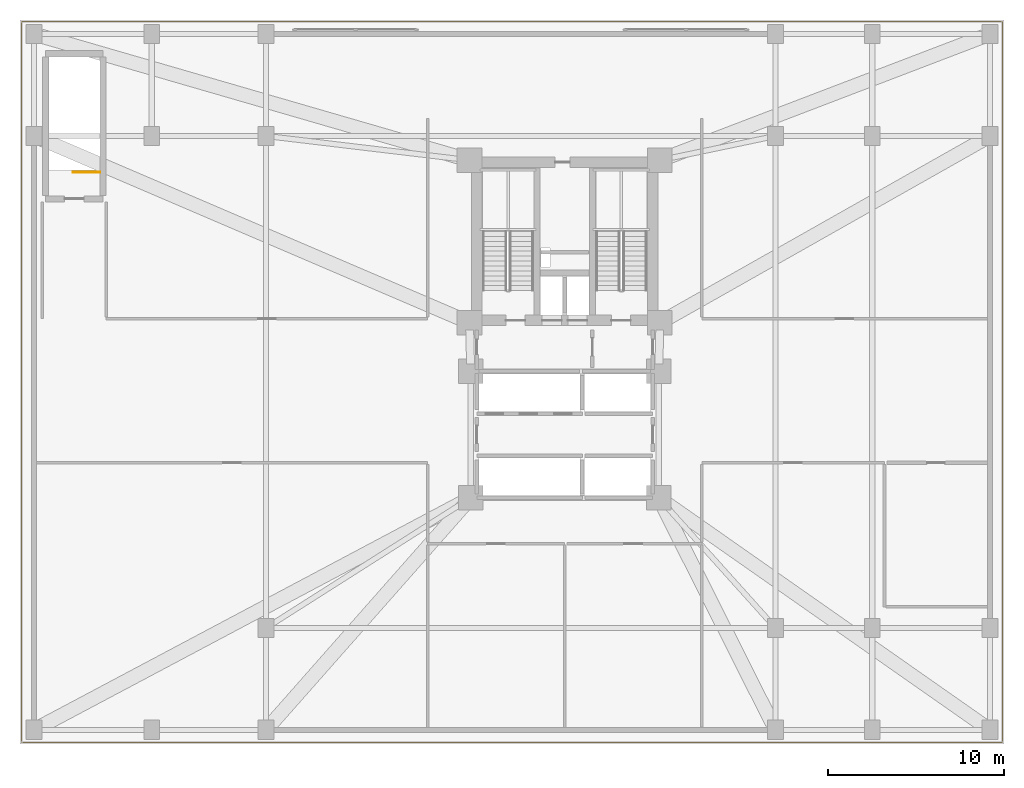
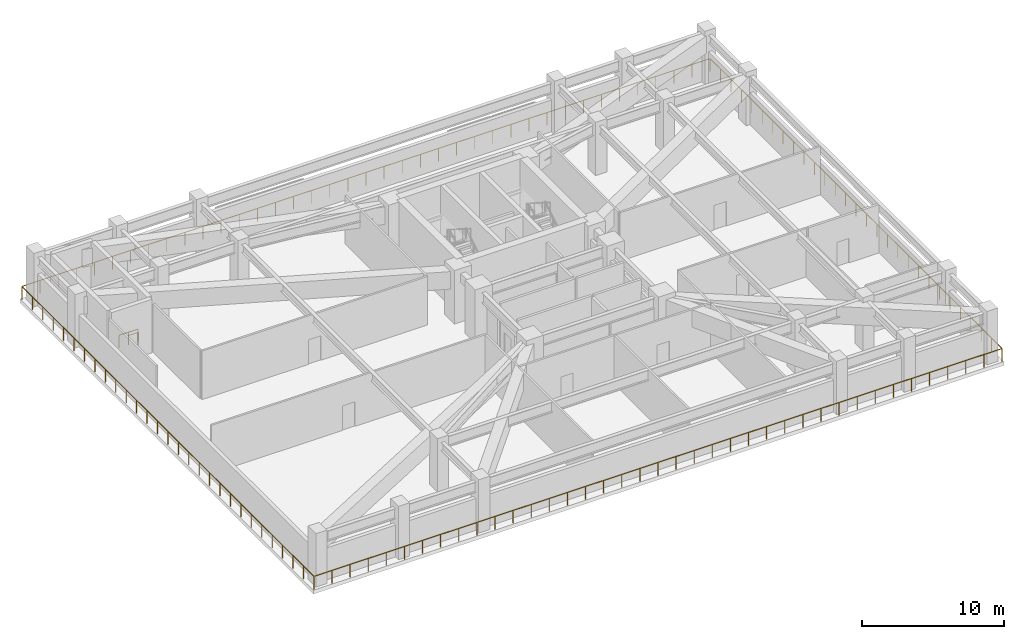
# One storey, part 8 of 9: 2 railings.
"""IFC4 building model written with IfcOpenShell, lengths in metres."""

from ifc_helpers import new_model, si_unit, direction, frame, origin, origin_2d, place, context, subcontext, project, spatial, rectangle, extrude, material, type_object, element, save


model = new_model("IFC4")

# Units and contexts
model_context = context("Model", 3, precision=1e-05, world=origin(), true_north=direction((0.0, 1.0)))
body_context = subcontext(model_context, "Body", "Model", "MODEL_VIEW")
ifc_project = project(units=[si_unit("LENGTHUNIT", "METRE"), si_unit("AREAUNIT", "SQUARE_METRE"), si_unit("VOLUMEUNIT", "CUBIC_METRE"), si_unit("PLANEANGLEUNIT", "RADIAN"), si_unit("MASSUNIT", "GRAM", prefix="KILO")], contexts=[model_context])

# Site, building, storey
site_placement = place(None, origin())
site = spatial("IfcSite", under=ifc_project, at=site_placement, CompositionType="ELEMENT")
building_placement = place(site_placement, origin())
building = spatial("IfcBuilding", under=site, at=building_placement, Name="Varnakorn Sky Granary", CompositionType="ELEMENT")
storey_placement = place(building_placement, frame((0.0, 0.0, 23.0)))
storey = spatial("IfcBuildingStorey", under=building, at=storey_placement, Name="L05", CompositionType="ELEMENT", Elevation=23.0)

# Railings
ifc_material_1 = material(Name="Anodised Bronze Aluminium Alloy 6063-T6", Category="aluminium")
railing_type_1 = type_object("IfcRailingType", Name="RL-BAL-1120", PredefinedType="BALUSTRADE", material=ifc_material_1)
railing_1_placement = place(storey_placement, frame((-27.89990234375, -20.5, 0.0)))
element("IfcRailing", 1, at=railing_1_placement, inside=storey, type_object=railing_type_1, Name="Podium Slab Edge Safety Guard L05", PredefinedType="BALUSTRADE", context=body_context, shape_type="SweptSolid", body=[
    extrude(rectangle(XDim=0.048095703125, YDim=0.048095703125, at=origin_2d()), frame((0.028076171875, 0.0, 1.09619140625), z_axis=(1.0, 0.0, 0.0), x_axis=(0.0, 1.0, 0.0)), (0.0, 0.0, 1.0), 55.743896484375),
    extrude(rectangle(XDim=0.048095703125, YDim=0.048095703125, at=origin_2d()), frame((55.7998046875, 0.028076171875, 1.09619140625), z_axis=(0.0, 1.0, 0.0), x_axis=(-1.0, 0.0, 0.0)), (0.0, 0.0, 1.0), 40.944091796875),
    extrude(rectangle(XDim=0.048095703125, YDim=0.048095703125, at=origin_2d()), frame((55.771728515625, 41.0, 1.09619140625), z_axis=(-1.0, 0.0, 0.0), x_axis=(0.0, -1.0, 0.0)), (0.0, 0.0, 1.0), 55.743896484375),
    extrude(rectangle(XDim=0.048095703125, YDim=0.048095703125, at=origin_2d()), frame((0.0, 40.971923828125, 1.09619140625), z_axis=(0.0, -1.0, 0.0), x_axis=(1.0, 0.0, 0.0)), (0.0, 0.0, 1.0), 40.944091796875),
    extrude(rectangle(XDim=0.0419921875, YDim=0.0419921875, at=origin_2d()), origin(), (0.0, 0.0, 1.0), 1.068115234375),
    extrude(rectangle(XDim=0.0419921875, YDim=0.0419921875, at=origin_2d()), frame((1.468505859375, 0.0, 0.0)), (0.0, 0.0, 1.0), 1.068115234375),
    extrude(rectangle(XDim=0.0419921875, YDim=0.0419921875, at=origin_2d()), frame((2.936767578125, 0.0, 0.0)), (0.0, 0.0, 1.0), 1.068115234375),
    extrude(rectangle(XDim=0.0419921875, YDim=0.0419921875, at=origin_2d()), frame((4.4052734375, 0.0, 0.0)), (0.0, 0.0, 1.0), 1.068115234375),
    extrude(rectangle(XDim=0.0419921875, YDim=0.0419921875, at=origin_2d()), frame((5.873779296875, 0.0, 0.0)), (0.0, 0.0, 1.0), 1.068115234375),
    extrude(rectangle(XDim=0.0419921875, YDim=0.0419921875, at=origin_2d()), frame((7.342041015625, 0.0, 0.0)), (0.0, 0.0, 1.0), 1.068115234375),
    extrude(rectangle(XDim=0.0419921875, YDim=0.0419921875, at=origin_2d()), frame((8.810546875, 0.0, 0.0)), (0.0, 0.0, 1.0), 1.068115234375),
    extrude(rectangle(XDim=0.0419921875, YDim=0.0419921875, at=origin_2d()), frame((10.27880859375, 0.0, 0.0)), (0.0, 0.0, 1.0), 1.068115234375),
    extrude(rectangle(XDim=0.0419921875, YDim=0.0419921875, at=origin_2d()), frame((11.747314453125, 0.0, 0.0)), (0.0, 0.0, 1.0), 1.068115234375),
    extrude(rectangle(XDim=0.0419921875, YDim=0.0419921875, at=origin_2d()), frame((13.2158203125, 0.0, 0.0)), (0.0, 0.0, 1.0), 1.068115234375),
    extrude(rectangle(XDim=0.0419921875, YDim=0.0419921875, at=origin_2d()), frame((14.68408203125, 0.0, 0.0)), (0.0, 0.0, 1.0), 1.068115234375),
    extrude(rectangle(XDim=0.0419921875, YDim=0.0419921875, at=origin_2d()), frame((16.152587890625, 0.0, 0.0)), (0.0, 0.0, 1.0), 1.068115234375),
    extrude(rectangle(XDim=0.0419921875, YDim=0.0419921875, at=origin_2d()), frame((17.62109375, 0.0, 0.0)), (0.0, 0.0, 1.0), 1.068115234375),
    extrude(rectangle(XDim=0.0419921875, YDim=0.0419921875, at=origin_2d()), frame((19.08935546875, 0.0, 0.0)), (0.0, 0.0, 1.0), 1.068115234375),
    extrude(rectangle(XDim=0.0419921875, YDim=0.0419921875, at=origin_2d()), frame((20.557861328125, 0.0, 0.0)), (0.0, 0.0, 1.0), 1.068115234375),
    extrude(rectangle(XDim=0.0419921875, YDim=0.0419921875, at=origin_2d()), frame((22.026123046875, 0.0, 0.0)), (0.0, 0.0, 1.0), 1.068115234375),
    extrude(rectangle(XDim=0.0419921875, YDim=0.0419921875, at=origin_2d()), frame((23.49462890625, 0.0, 0.0)), (0.0, 0.0, 1.0), 1.068115234375),
    extrude(rectangle(XDim=0.0419921875, YDim=0.0419921875, at=origin_2d()), frame((24.963134765625, 0.0, 0.0)), (0.0, 0.0, 1.0), 1.068115234375),
    extrude(rectangle(XDim=0.0419921875, YDim=0.0419921875, at=origin_2d()), frame((26.431396484375, 0.0, 0.0)), (0.0, 0.0, 1.0), 1.068115234375),
    extrude(rectangle(XDim=0.0419921875, YDim=0.0419921875, at=origin_2d()), frame((27.89990234375, 0.0, 0.0)), (0.0, 0.0, 1.0), 1.068115234375),
    extrude(rectangle(XDim=0.0419921875, YDim=0.0419921875, at=origin_2d()), frame((29.368408203125, 0.0, 0.0)), (0.0, 0.0, 1.0), 1.068115234375),
    extrude(rectangle(XDim=0.0419921875, YDim=0.0419921875, at=origin_2d()), frame((30.836669921875, 0.0, 0.0)), (0.0, 0.0, 1.0), 1.068115234375),
    extrude(rectangle(XDim=0.0419921875, YDim=0.0419921875, at=origin_2d()), frame((32.30517578125, 0.0, 0.0)), (0.0, 0.0, 1.0), 1.068115234375),
    extrude(rectangle(XDim=0.0419921875, YDim=0.0419921875, at=origin_2d()), frame((33.773681640625, 0.0, 0.0)), (0.0, 0.0, 1.0), 1.068115234375),
    extrude(rectangle(XDim=0.0419921875, YDim=0.0419921875, at=origin_2d()), frame((35.241943359375, 0.0, 0.0)), (0.0, 0.0, 1.0), 1.068115234375),
    extrude(rectangle(XDim=0.0419921875, YDim=0.0419921875, at=origin_2d()), frame((36.71044921875, 0.0, 0.0)), (0.0, 0.0, 1.0), 1.068115234375),
    extrude(rectangle(XDim=0.0419921875, YDim=0.0419921875, at=origin_2d()), frame((38.1787109375, 0.0, 0.0)), (0.0, 0.0, 1.0), 1.068115234375),
    extrude(rectangle(XDim=0.0419921875, YDim=0.0419921875, at=origin_2d()), frame((39.647216796875, 0.0, 0.0)), (0.0, 0.0, 1.0), 1.068115234375),
    extrude(rectangle(XDim=0.0419921875, YDim=0.0419921875, at=origin_2d()), frame((41.11572265625, 0.0, 0.0)), (0.0, 0.0, 1.0), 1.068115234375),
    extrude(rectangle(XDim=0.0419921875, YDim=0.0419921875, at=origin_2d()), frame((42.583984375, 0.0, 0.0)), (0.0, 0.0, 1.0), 1.068115234375),
    extrude(rectangle(XDim=0.0419921875, YDim=0.0419921875, at=origin_2d()), frame((44.052490234375, 0.0, 0.0)), (0.0, 0.0, 1.0), 1.068115234375),
    extrude(rectangle(XDim=0.0419921875, YDim=0.0419921875, at=origin_2d()), frame((45.52099609375, 0.0, 0.0)), (0.0, 0.0, 1.0), 1.068115234375),
    extrude(rectangle(XDim=0.0419921875, YDim=0.0419921875, at=origin_2d()), frame((46.9892578125, 0.0, 0.0)), (0.0, 0.0, 1.0), 1.068115234375),
    extrude(rectangle(XDim=0.0419921875, YDim=0.0419921875, at=origin_2d()), frame((48.457763671875, 0.0, 0.0)), (0.0, 0.0, 1.0), 1.068115234375),
    extrude(rectangle(XDim=0.0419921875, YDim=0.0419921875, at=origin_2d()), frame((49.926025390625, 0.0, 0.0)), (0.0, 0.0, 1.0), 1.068115234375),
    extrude(rectangle(XDim=0.0419921875, YDim=0.0419921875, at=origin_2d()), frame((51.39453125, 0.0, 0.0)), (0.0, 0.0, 1.0), 1.068115234375),
    extrude(rectangle(XDim=0.0419921875, YDim=0.0419921875, at=origin_2d()), frame((52.863037109375, 0.0, 0.0)), (0.0, 0.0, 1.0), 1.068115234375),
    extrude(rectangle(XDim=0.0419921875, YDim=0.0419921875, at=origin_2d()), frame((54.331298828125, 0.0, 0.0)), (0.0, 0.0, 1.0), 1.068115234375),
    extrude(rectangle(XDim=0.0419921875, YDim=0.0419921875, at=origin_2d()), frame((55.7998046875, 0.0, 0.0)), (0.0, 0.0, 1.0), 1.068115234375),
    extrude(rectangle(XDim=0.0419921875, YDim=0.0419921875, at=origin_2d()), frame((55.7998046875, 1.46435546875, 0.0)), (0.0, 0.0, 1.0), 1.068115234375),
    extrude(rectangle(XDim=0.0419921875, YDim=0.0419921875, at=origin_2d()), frame((55.7998046875, 2.928466796875, 0.0)), (0.0, 0.0, 1.0), 1.068115234375),
    extrude(rectangle(XDim=0.0419921875, YDim=0.0419921875, at=origin_2d()), frame((55.7998046875, 4.392822265625, 0.0)), (0.0, 0.0, 1.0), 1.068115234375),
    extrude(rectangle(XDim=0.0419921875, YDim=0.0419921875, at=origin_2d()), frame((55.7998046875, 5.857177734375, 0.0)), (0.0, 0.0, 1.0), 1.068115234375),
    extrude(rectangle(XDim=0.0419921875, YDim=0.0419921875, at=origin_2d()), frame((55.7998046875, 7.321533203125, 0.0)), (0.0, 0.0, 1.0), 1.068115234375),
    extrude(rectangle(XDim=0.0419921875, YDim=0.0419921875, at=origin_2d()), frame((55.7998046875, 8.78564453125, 0.0)), (0.0, 0.0, 1.0), 1.068115234375),
    extrude(rectangle(XDim=0.0419921875, YDim=0.0419921875, at=origin_2d()), frame((55.7998046875, 10.25, 0.0)), (0.0, 0.0, 1.0), 1.068115234375),
    extrude(rectangle(XDim=0.0419921875, YDim=0.0419921875, at=origin_2d()), frame((55.7998046875, 11.71435546875, 0.0)), (0.0, 0.0, 1.0), 1.068115234375),
    extrude(rectangle(XDim=0.0419921875, YDim=0.0419921875, at=origin_2d()), frame((55.7998046875, 13.178466796875, 0.0)), (0.0, 0.0, 1.0), 1.068115234375),
    extrude(rectangle(XDim=0.0419921875, YDim=0.0419921875, at=origin_2d()), frame((55.7998046875, 14.642822265625, 0.0)), (0.0, 0.0, 1.0), 1.068115234375),
    extrude(rectangle(XDim=0.0419921875, YDim=0.0419921875, at=origin_2d()), frame((55.7998046875, 16.107177734375, 0.0)), (0.0, 0.0, 1.0), 1.068115234375),
    extrude(rectangle(XDim=0.0419921875, YDim=0.0419921875, at=origin_2d()), frame((55.7998046875, 17.571533203125, 0.0)), (0.0, 0.0, 1.0), 1.068115234375),
    extrude(rectangle(XDim=0.0419921875, YDim=0.0419921875, at=origin_2d()), frame((55.7998046875, 19.03564453125, 0.0)), (0.0, 0.0, 1.0), 1.068115234375),
    extrude(rectangle(XDim=0.0419921875, YDim=0.0419921875, at=origin_2d()), frame((55.7998046875, 20.5, 0.0)), (0.0, 0.0, 1.0), 1.068115234375),
    extrude(rectangle(XDim=0.0419921875, YDim=0.0419921875, at=origin_2d()), frame((55.7998046875, 21.96435546875, 0.0)), (0.0, 0.0, 1.0), 1.068115234375),
    extrude(rectangle(XDim=0.0419921875, YDim=0.0419921875, at=origin_2d()), frame((55.7998046875, 23.428466796875, 0.0)), (0.0, 0.0, 1.0), 1.068115234375),
    extrude(rectangle(XDim=0.0419921875, YDim=0.0419921875, at=origin_2d()), frame((55.7998046875, 24.892822265625, 0.0)), (0.0, 0.0, 1.0), 1.068115234375),
    extrude(rectangle(XDim=0.0419921875, YDim=0.0419921875, at=origin_2d()), frame((55.7998046875, 26.357177734375, 0.0)), (0.0, 0.0, 1.0), 1.068115234375),
    extrude(rectangle(XDim=0.0419921875, YDim=0.0419921875, at=origin_2d()), frame((55.7998046875, 27.821533203125, 0.0)), (0.0, 0.0, 1.0), 1.068115234375),
    extrude(rectangle(XDim=0.0419921875, YDim=0.0419921875, at=origin_2d()), frame((55.7998046875, 29.28564453125, 0.0)), (0.0, 0.0, 1.0), 1.068115234375),
    extrude(rectangle(XDim=0.0419921875, YDim=0.0419921875, at=origin_2d()), frame((55.7998046875, 30.75, 0.0)), (0.0, 0.0, 1.0), 1.068115234375),
    extrude(rectangle(XDim=0.0419921875, YDim=0.0419921875, at=origin_2d()), frame((55.7998046875, 32.21435546875, 0.0)), (0.0, 0.0, 1.0), 1.068115234375),
    extrude(rectangle(XDim=0.0419921875, YDim=0.0419921875, at=origin_2d()), frame((55.7998046875, 33.678466796875, 0.0)), (0.0, 0.0, 1.0), 1.068115234375),
    extrude(rectangle(XDim=0.0419921875, YDim=0.0419921875, at=origin_2d()), frame((55.7998046875, 35.142822265625, 0.0)), (0.0, 0.0, 1.0), 1.068115234375),
    extrude(rectangle(XDim=0.0419921875, YDim=0.0419921875, at=origin_2d()), frame((55.7998046875, 36.607177734375, 0.0)), (0.0, 0.0, 1.0), 1.068115234375),
    extrude(rectangle(XDim=0.0419921875, YDim=0.0419921875, at=origin_2d()), frame((55.7998046875, 38.071533203125, 0.0)), (0.0, 0.0, 1.0), 1.068115234375),
    extrude(rectangle(XDim=0.0419921875, YDim=0.0419921875, at=origin_2d()), frame((55.7998046875, 39.53564453125, 0.0)), (0.0, 0.0, 1.0), 1.068115234375),
    extrude(rectangle(XDim=0.0419921875, YDim=0.0419921875, at=origin_2d()), frame((55.7998046875, 41.0, 0.0)), (0.0, 0.0, 1.0), 1.068115234375),
    extrude(rectangle(XDim=0.0419921875, YDim=0.0419921875, at=origin_2d()), frame((54.331298828125, 41.0, 0.0)), (0.0, 0.0, 1.0), 1.068115234375),
    extrude(rectangle(XDim=0.0419921875, YDim=0.0419921875, at=origin_2d()), frame((52.863037109375, 41.0, 0.0)), (0.0, 0.0, 1.0), 1.068115234375),
    extrude(rectangle(XDim=0.0419921875, YDim=0.0419921875, at=origin_2d()), frame((51.39453125, 41.0, 0.0)), (0.0, 0.0, 1.0), 1.068115234375),
    extrude(rectangle(XDim=0.0419921875, YDim=0.0419921875, at=origin_2d()), frame((49.926025390625, 41.0, 0.0)), (0.0, 0.0, 1.0), 1.068115234375),
    extrude(rectangle(XDim=0.0419921875, YDim=0.0419921875, at=origin_2d()), frame((48.457763671875, 41.0, 0.0)), (0.0, 0.0, 1.0), 1.068115234375),
    extrude(rectangle(XDim=0.0419921875, YDim=0.0419921875, at=origin_2d()), frame((46.9892578125, 41.0, 0.0)), (0.0, 0.0, 1.0), 1.068115234375),
    extrude(rectangle(XDim=0.0419921875, YDim=0.0419921875, at=origin_2d()), frame((45.52099609375, 41.0, 0.0)), (0.0, 0.0, 1.0), 1.068115234375),
    extrude(rectangle(XDim=0.0419921875, YDim=0.0419921875, at=origin_2d()), frame((44.052490234375, 41.0, 0.0)), (0.0, 0.0, 1.0), 1.068115234375),
    extrude(rectangle(XDim=0.0419921875, YDim=0.0419921875, at=origin_2d()), frame((42.583984375, 41.0, 0.0)), (0.0, 0.0, 1.0), 1.068115234375),
    extrude(rectangle(XDim=0.0419921875, YDim=0.0419921875, at=origin_2d()), frame((41.11572265625, 41.0, 0.0)), (0.0, 0.0, 1.0), 1.068115234375),
    extrude(rectangle(XDim=0.0419921875, YDim=0.0419921875, at=origin_2d()), frame((39.647216796875, 41.0, 0.0)), (0.0, 0.0, 1.0), 1.068115234375),
    extrude(rectangle(XDim=0.0419921875, YDim=0.0419921875, at=origin_2d()), frame((38.1787109375, 41.0, 0.0)), (0.0, 0.0, 1.0), 1.068115234375),
    extrude(rectangle(XDim=0.0419921875, YDim=0.0419921875, at=origin_2d()), frame((36.71044921875, 41.0, 0.0)), (0.0, 0.0, 1.0), 1.068115234375),
    extrude(rectangle(XDim=0.0419921875, YDim=0.0419921875, at=origin_2d()), frame((35.241943359375, 41.0, 0.0)), (0.0, 0.0, 1.0), 1.068115234375),
    extrude(rectangle(XDim=0.0419921875, YDim=0.0419921875, at=origin_2d()), frame((33.773681640625, 41.0, 0.0)), (0.0, 0.0, 1.0), 1.068115234375),
    extrude(rectangle(XDim=0.0419921875, YDim=0.0419921875, at=origin_2d()), frame((32.30517578125, 41.0, 0.0)), (0.0, 0.0, 1.0), 1.068115234375),
    extrude(rectangle(XDim=0.0419921875, YDim=0.0419921875, at=origin_2d()), frame((30.836669921875, 41.0, 0.0)), (0.0, 0.0, 1.0), 1.068115234375),
    extrude(rectangle(XDim=0.0419921875, YDim=0.0419921875, at=origin_2d()), frame((29.368408203125, 41.0, 0.0)), (0.0, 0.0, 1.0), 1.068115234375),
    extrude(rectangle(XDim=0.0419921875, YDim=0.0419921875, at=origin_2d()), frame((27.89990234375, 41.0, 0.0)), (0.0, 0.0, 1.0), 1.068115234375),
    extrude(rectangle(XDim=0.0419921875, YDim=0.0419921875, at=origin_2d()), frame((26.431396484375, 41.0, 0.0)), (0.0, 0.0, 1.0), 1.068115234375),
    extrude(rectangle(XDim=0.0419921875, YDim=0.0419921875, at=origin_2d()), frame((24.963134765625, 41.0, 0.0)), (0.0, 0.0, 1.0), 1.068115234375),
    extrude(rectangle(XDim=0.0419921875, YDim=0.0419921875, at=origin_2d()), frame((23.49462890625, 41.0, 0.0)), (0.0, 0.0, 1.0), 1.068115234375),
    extrude(rectangle(XDim=0.0419921875, YDim=0.0419921875, at=origin_2d()), frame((22.026123046875, 41.0, 0.0)), (0.0, 0.0, 1.0), 1.068115234375),
    extrude(rectangle(XDim=0.0419921875, YDim=0.0419921875, at=origin_2d()), frame((20.557861328125, 41.0, 0.0)), (0.0, 0.0, 1.0), 1.068115234375),
    extrude(rectangle(XDim=0.0419921875, YDim=0.0419921875, at=origin_2d()), frame((19.08935546875, 41.0, 0.0)), (0.0, 0.0, 1.0), 1.068115234375),
    extrude(rectangle(XDim=0.0419921875, YDim=0.0419921875, at=origin_2d()), frame((17.62109375, 41.0, 0.0)), (0.0, 0.0, 1.0), 1.068115234375),
    extrude(rectangle(XDim=0.0419921875, YDim=0.0419921875, at=origin_2d()), frame((16.152587890625, 41.0, 0.0)), (0.0, 0.0, 1.0), 1.068115234375),
    extrude(rectangle(XDim=0.0419921875, YDim=0.0419921875, at=origin_2d()), frame((14.68408203125, 41.0, 0.0)), (0.0, 0.0, 1.0), 1.068115234375),
    extrude(rectangle(XDim=0.0419921875, YDim=0.0419921875, at=origin_2d()), frame((13.2158203125, 41.0, 0.0)), (0.0, 0.0, 1.0), 1.068115234375),
    extrude(rectangle(XDim=0.0419921875, YDim=0.0419921875, at=origin_2d()), frame((11.747314453125, 41.0, 0.0)), (0.0, 0.0, 1.0), 1.068115234375),
    extrude(rectangle(XDim=0.0419921875, YDim=0.0419921875, at=origin_2d()), frame((10.27880859375, 41.0, 0.0)), (0.0, 0.0, 1.0), 1.068115234375),
    extrude(rectangle(XDim=0.0419921875, YDim=0.0419921875, at=origin_2d()), frame((8.810546875, 41.0, 0.0)), (0.0, 0.0, 1.0), 1.068115234375),
    extrude(rectangle(XDim=0.0419921875, YDim=0.0419921875, at=origin_2d()), frame((7.342041015625, 41.0, 0.0)), (0.0, 0.0, 1.0), 1.068115234375),
    extrude(rectangle(XDim=0.0419921875, YDim=0.0419921875, at=origin_2d()), frame((5.873779296875, 41.0, 0.0)), (0.0, 0.0, 1.0), 1.068115234375),
    extrude(rectangle(XDim=0.0419921875, YDim=0.0419921875, at=origin_2d()), frame((4.4052734375, 41.0, 0.0)), (0.0, 0.0, 1.0), 1.068115234375),
    extrude(rectangle(XDim=0.0419921875, YDim=0.0419921875, at=origin_2d()), frame((2.936767578125, 41.0, 0.0)), (0.0, 0.0, 1.0), 1.068115234375),
    extrude(rectangle(XDim=0.0419921875, YDim=0.0419921875, at=origin_2d()), frame((1.468505859375, 41.0, 0.0)), (0.0, 0.0, 1.0), 1.068115234375),
    extrude(rectangle(XDim=0.0419921875, YDim=0.0419921875, at=origin_2d()), frame((0.0, 41.0, 0.0)), (0.0, 0.0, 1.0), 1.068115234375),
    extrude(rectangle(XDim=0.0419921875, YDim=0.0419921875, at=origin_2d()), frame((0.0, 39.53564453125, 0.0)), (0.0, 0.0, 1.0), 1.068115234375),
    extrude(rectangle(XDim=0.0419921875, YDim=0.0419921875, at=origin_2d()), frame((0.0, 38.071533203125, 0.0)), (0.0, 0.0, 1.0), 1.068115234375),
    extrude(rectangle(XDim=0.0419921875, YDim=0.0419921875, at=origin_2d()), frame((0.0, 36.607177734375, 0.0)), (0.0, 0.0, 1.0), 1.068115234375),
    extrude(rectangle(XDim=0.0419921875, YDim=0.0419921875, at=origin_2d()), frame((0.0, 35.142822265625, 0.0)), (0.0, 0.0, 1.0), 1.068115234375),
    extrude(rectangle(XDim=0.0419921875, YDim=0.0419921875, at=origin_2d()), frame((0.0, 33.678466796875, 0.0)), (0.0, 0.0, 1.0), 1.068115234375),
    extrude(rectangle(XDim=0.0419921875, YDim=0.0419921875, at=origin_2d()), frame((0.0, 32.21435546875, 0.0)), (0.0, 0.0, 1.0), 1.068115234375),
    extrude(rectangle(XDim=0.0419921875, YDim=0.0419921875, at=origin_2d()), frame((0.0, 30.75, 0.0)), (0.0, 0.0, 1.0), 1.068115234375),
    extrude(rectangle(XDim=0.0419921875, YDim=0.0419921875, at=origin_2d()), frame((0.0, 29.28564453125, 0.0)), (0.0, 0.0, 1.0), 1.068115234375),
    extrude(rectangle(XDim=0.0419921875, YDim=0.0419921875, at=origin_2d()), frame((0.0, 27.821533203125, 0.0)), (0.0, 0.0, 1.0), 1.068115234375),
    extrude(rectangle(XDim=0.0419921875, YDim=0.0419921875, at=origin_2d()), frame((0.0, 26.357177734375, 0.0)), (0.0, 0.0, 1.0), 1.068115234375),
    extrude(rectangle(XDim=0.0419921875, YDim=0.0419921875, at=origin_2d()), frame((0.0, 24.892822265625, 0.0)), (0.0, 0.0, 1.0), 1.068115234375),
    extrude(rectangle(XDim=0.0419921875, YDim=0.0419921875, at=origin_2d()), frame((0.0, 23.428466796875, 0.0)), (0.0, 0.0, 1.0), 1.068115234375),
    extrude(rectangle(XDim=0.0419921875, YDim=0.0419921875, at=origin_2d()), frame((0.0, 21.96435546875, 0.0)), (0.0, 0.0, 1.0), 1.068115234375),
    extrude(rectangle(XDim=0.0419921875, YDim=0.0419921875, at=origin_2d()), frame((0.0, 20.5, 0.0)), (0.0, 0.0, 1.0), 1.068115234375),
    extrude(rectangle(XDim=0.0419921875, YDim=0.0419921875, at=origin_2d()), frame((0.0, 19.03564453125, 0.0)), (0.0, 0.0, 1.0), 1.068115234375),
    extrude(rectangle(XDim=0.0419921875, YDim=0.0419921875, at=origin_2d()), frame((0.0, 17.571533203125, 0.0)), (0.0, 0.0, 1.0), 1.068115234375),
    extrude(rectangle(XDim=0.0419921875, YDim=0.0419921875, at=origin_2d()), frame((0.0, 16.107177734375, 0.0)), (0.0, 0.0, 1.0), 1.068115234375),
    extrude(rectangle(XDim=0.0419921875, YDim=0.0419921875, at=origin_2d()), frame((0.0, 14.642822265625, 0.0)), (0.0, 0.0, 1.0), 1.068115234375),
    extrude(rectangle(XDim=0.0419921875, YDim=0.0419921875, at=origin_2d()), frame((0.0, 13.178466796875, 0.0)), (0.0, 0.0, 1.0), 1.068115234375),
    extrude(rectangle(XDim=0.0419921875, YDim=0.0419921875, at=origin_2d()), frame((0.0, 11.71435546875, 0.0)), (0.0, 0.0, 1.0), 1.068115234375),
    extrude(rectangle(XDim=0.0419921875, YDim=0.0419921875, at=origin_2d()), frame((0.0, 10.25, 0.0)), (0.0, 0.0, 1.0), 1.068115234375),
    extrude(rectangle(XDim=0.0419921875, YDim=0.0419921875, at=origin_2d()), frame((0.0, 8.78564453125, 0.0)), (0.0, 0.0, 1.0), 1.068115234375),
    extrude(rectangle(XDim=0.0419921875, YDim=0.0419921875, at=origin_2d()), frame((0.0, 7.321533203125, 0.0)), (0.0, 0.0, 1.0), 1.068115234375),
    extrude(rectangle(XDim=0.0419921875, YDim=0.0419921875, at=origin_2d()), frame((0.0, 5.857177734375, 0.0)), (0.0, 0.0, 1.0), 1.068115234375),
    extrude(rectangle(XDim=0.0419921875, YDim=0.0419921875, at=origin_2d()), frame((0.0, 4.392822265625, 0.0)), (0.0, 0.0, 1.0), 1.068115234375),
    extrude(rectangle(XDim=0.0419921875, YDim=0.0419921875, at=origin_2d()), frame((0.0, 2.928466796875, 0.0)), (0.0, 0.0, 1.0), 1.068115234375),
    extrude(rectangle(XDim=0.0419921875, YDim=0.0419921875, at=origin_2d()), frame((0.0, 1.46435546875, 0.0)), (0.0, 0.0, 1.0), 1.068115234375),
])
ifc_material_2 = material(Name="Brushed Stainless Steel 316", Category="steel")
railing_type_2 = type_object("IfcRailingType", Name="RL-STAIR-1100", PredefinedType="GUARDRAIL", material=ifc_material_2)
railing_2_placement = place(storey_placement, frame((-23.449951171875, 11.929931640625, 0.0)))
element("IfcRailing", 2, at=railing_2_placement, inside=storey, type_object=railing_type_2, Name="L05 ST-B3 top well guard 1", PredefinedType="GUARDRAIL", context=body_context, shape_type="SweptSolid", body=[
    extrude(rectangle(XDim=0.048095703125, YDim=0.048095703125, at=origin_2d()), frame((0.0, 0.0, 1.076171875), z_axis=(-1.0, 0.0, 0.0), x_axis=(0.0, -1.0, 0.0)), (0.0, 0.0, 1.0), 1.530029296875),
    extrude(rectangle(XDim=0.0419921875, YDim=0.0419921875, at=origin_2d()), origin(), (0.0, 0.0, 1.0), 1.048095703125),
    extrude(rectangle(XDim=0.0419921875, YDim=0.0419921875, at=origin_2d()), frame((-0.76513671875, 0.0, 0.0)), (0.0, 0.0, 1.0), 1.048095703125),
    extrude(rectangle(XDim=0.0419921875, YDim=0.0419921875, at=origin_2d()), frame((-1.530029296875, 0.0, 0.0)), (0.0, 0.0, 1.0), 1.048095703125),
])

save(model, "model.ifc")
